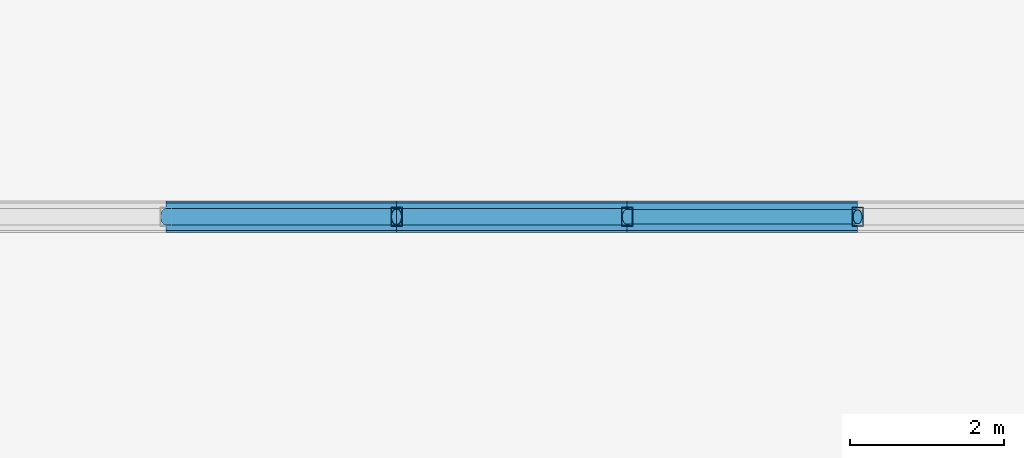
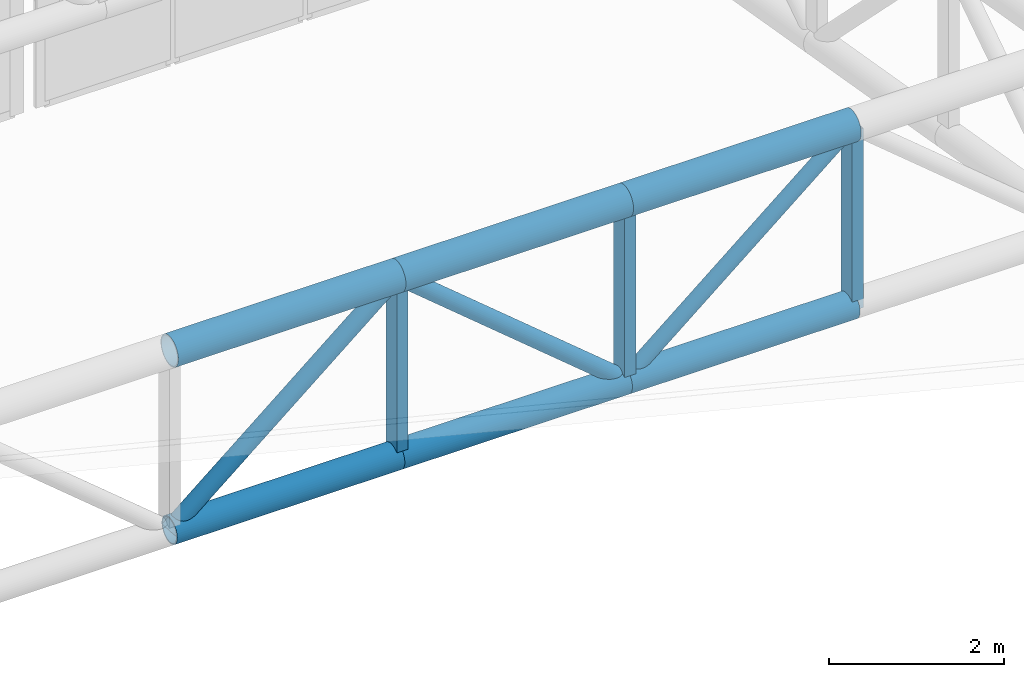
# One storey, part 97 of 239: 12 members.
"""IFC4 building model written with IfcOpenShell, lengths in metres."""

from ifc_helpers import new_model, si_unit, direction, frame, origin, origin_2d, place, context, subcontext, project, spatial, hollow_rectangle, hollow_circle, extrude, material, material_profile, profile_set, type_object, element, save


model = new_model("IFC4")

# Units and contexts
model_context = context("Model", 3, precision=1e-05, world=origin(), true_north=direction((0.0, 1.0)))
body_context = subcontext(model_context, "Body", "Model", "MODEL_VIEW")
ifc_project = project(units=[si_unit("LENGTHUNIT", "METRE"), si_unit("AREAUNIT", "SQUARE_METRE"), si_unit("VOLUMEUNIT", "CUBIC_METRE"), si_unit("PLANEANGLEUNIT", "RADIAN"), si_unit("MASSUNIT", "GRAM", prefix="KILO")], contexts=[model_context])

# Site, building, storey
site_placement = place(None, origin())
site = spatial("IfcSite", under=ifc_project, at=site_placement, CompositionType="ELEMENT")
building_placement = place(site_placement, origin())
building = spatial("IfcBuilding", under=site, at=building_placement, Name="Kaldris Quays Convention Centre", CompositionType="ELEMENT")
storey_placement = place(building_placement, frame((0.0, 0.0, 11.39990234375)))
storey = spatial("IfcBuildingStorey", under=building, at=storey_placement, Name="L02", CompositionType="ELEMENT", Elevation=11.39990234375)

# Members
ifc_material = material(Name="Steel S355J2H", Category="steel")
ifc_material_profile_1 = material_profile(ifc_material, hollow_circle(Radius=0.203125, WallThickness=0.01611328125, at=origin_2d()), Name="CHS 406.4x16")
ifc_profile_set_1 = profile_set([ifc_material_profile_1], Name="Steel S355J2H")
member_type_1 = type_object("IfcMemberType", Name="STRUCTURAL MEMBER SC01", PredefinedType="CHORD", material=ifc_profile_set_1)
for number, where, z_axis, x_axis, name in (
    (1, (26.0, 116.0, 13.7861328125), (1.0, 0.0, 0.0), (0.0, 1.0, 0.0), "SF-V1 Top Chord X 213"),
    (2, (29.0, 116.0, 13.7861328125), (1.0, 0.0, 0.0), (0.0, 1.0, 0.0), "SF-V1 Top Chord X 214"),
    (3, (32.0, 116.0, 13.7861328125), (1.0, 0.0, 0.0), (0.0, 1.0, 0.0), "SF-V1 Top Chord X 215"),
):
    element("IfcMember", number, at=place(storey_placement, frame(where, z_axis=z_axis, x_axis=x_axis)), inside=storey, type_object=member_type_1, Name=name, PredefinedType="CHORD", context=body_context, shape_type="SweptSolid", body=[
        extrude(hollow_circle(Radius=0.203125, WallThickness=0.01611328125, at=origin_2d()), origin(), (0.0, 0.0, 1.0), 3.0),
    ])
ifc_material_profile_2 = material_profile(ifc_material, hollow_circle(Radius=0.177734375, WallThickness=0.01611328125, at=origin_2d()), Name="CHS 355.6x16")
ifc_profile_set_2 = profile_set([ifc_material_profile_2], Name="Steel S355J2H")
member_type_2 = type_object("IfcMemberType", Name="STRUCTURAL MEMBER SC02", PredefinedType="CHORD", material=ifc_profile_set_2)
for number, where, z_axis, x_axis, name in (
    (4, (26.0, 116.0, 11.2861328125), (1.0, 0.0, 0.0), (0.0, 1.0, 0.0), "SF-V1 Bottom Chord X 213"),
    (5, (29.0, 116.0, 11.2861328125), (1.0, 0.0, 0.0), (0.0, 1.0, 0.0), "SF-V1 Bottom Chord X 214"),
    (6, (32.0, 116.0, 11.2861328125), (1.0, 0.0, 0.0), (0.0, 1.0, 0.0), "SF-V1 Bottom Chord X 215"),
):
    element("IfcMember", number, at=place(storey_placement, frame(where, z_axis=z_axis, x_axis=x_axis)), inside=storey, type_object=member_type_2, Name=name, PredefinedType="CHORD", context=body_context, shape_type="SweptSolid", body=[
        extrude(hollow_circle(Radius=0.177734375, WallThickness=0.01611328125, at=origin_2d()), origin(), (0.0, 0.0, 1.0), 3.0),
    ])
ifc_material_profile_3 = material_profile(ifc_material, hollow_circle(Radius=0.109619140625, WallThickness=0.010009765625, at=origin_2d()), Name="CHS 219.1x10")
ifc_profile_set_3 = profile_set([ifc_material_profile_3], Name="Steel S355J2H")
member_type_3 = type_object("IfcMemberType", Name="STRUCTURAL MEMBER SWB1", PredefinedType="BRACE", material=ifc_profile_set_3)
for number, where, z_axis, x_axis, name in (
    (7, (26.0, 116.0, 11.2861328125), (0.768221279597, 0.0, 0.640184399664), (0.0, 1.0, 0.0), "SF-V1 Web Diagonal X 213"),
    (8, (32.0, 116.0, 11.2861328125), (-0.768221279597, 0.0, 0.640184399664), (0.0, -1.0, 0.0), "SF-V1 Web Diagonal X 214"),
):
    element("IfcMember", number, at=place(storey_placement, frame(where, z_axis=z_axis, x_axis=x_axis)), inside=storey, type_object=member_type_3, Name=name, PredefinedType="BRACE", context=body_context, shape_type="SweptSolid", body=[
        extrude(hollow_circle(Radius=0.109619140625, WallThickness=0.010009765625, at=origin_2d()), origin(), (0.0, 0.0, 1.0), 3.905029296875),
    ])
ifc_material_profile_4 = material_profile(ifc_material, hollow_circle(Radius=0.096923828125, WallThickness=0.008056640625, at=origin_2d()), Name="CHS 193.7x8")
ifc_profile_set_4 = profile_set([ifc_material_profile_4], Name="Steel S355J2H")
member_type_4 = type_object("IfcMemberType", Name="STRUCTURAL MEMBER SWB3", PredefinedType="BRACE", material=ifc_profile_set_4)
member_placement = place(storey_placement, frame((32.0, 116.0, 11.2861328125), z_axis=(0.768221279597, 0.0, 0.640184399664), x_axis=(0.0, 1.0, 0.0)))
element("IfcMember", 9, at=member_placement, inside=storey, type_object=member_type_4, Name="SF-V1 Web Diagonal X 215", PredefinedType="BRACE", context=body_context, shape_type="SweptSolid", body=[
    extrude(hollow_circle(Radius=0.096923828125, WallThickness=0.008056640625, at=origin_2d()), origin(), (0.0, 0.0, 1.0), 3.905029296875),
])
ifc_material_profile_5 = material_profile(ifc_material, hollow_rectangle(XDim=0.14990234375, YDim=0.25, WallThickness=0.010009765625, at=origin_2d()), Name="RHS 250x150x10")
ifc_profile_set_5 = profile_set([ifc_material_profile_5], Name="Steel S355J2H")
member_type_5 = type_object("IfcMemberType", Name="STRUCTURAL MEMBER TTV1", PredefinedType="POST", material=ifc_profile_set_5)
for number, where, z_axis, x_axis, name in (
    (10, (29.0, 116.0, 11.2861328125), (0.0, 0.0, 1.0), (1.0, 0.0, 0.0), "SF-V1 Space-Frame Post 51"),
    (11, (32.0, 116.0, 11.2861328125), (0.0, 0.0, 1.0), (1.0, 0.0, 0.0), "SF-V1 Space-Frame Post 59"),
    (12, (35.0, 116.0, 11.2861328125), (0.0, 0.0, 1.0), (1.0, 0.0, 0.0), "SF-V1 Space-Frame Post 67"),
):
    element("IfcMember", number, at=place(storey_placement, frame(where, z_axis=z_axis, x_axis=x_axis)), inside=storey, type_object=member_type_5, Name=name, PredefinedType="POST", context=body_context, shape_type="SweptSolid", body=[
        extrude(hollow_rectangle(XDim=0.14990234375, YDim=0.25, WallThickness=0.010009765625, at=origin_2d()), origin(), (0.0, 0.0, 1.0), 2.5),
    ])

save(model, "model.ifc")
